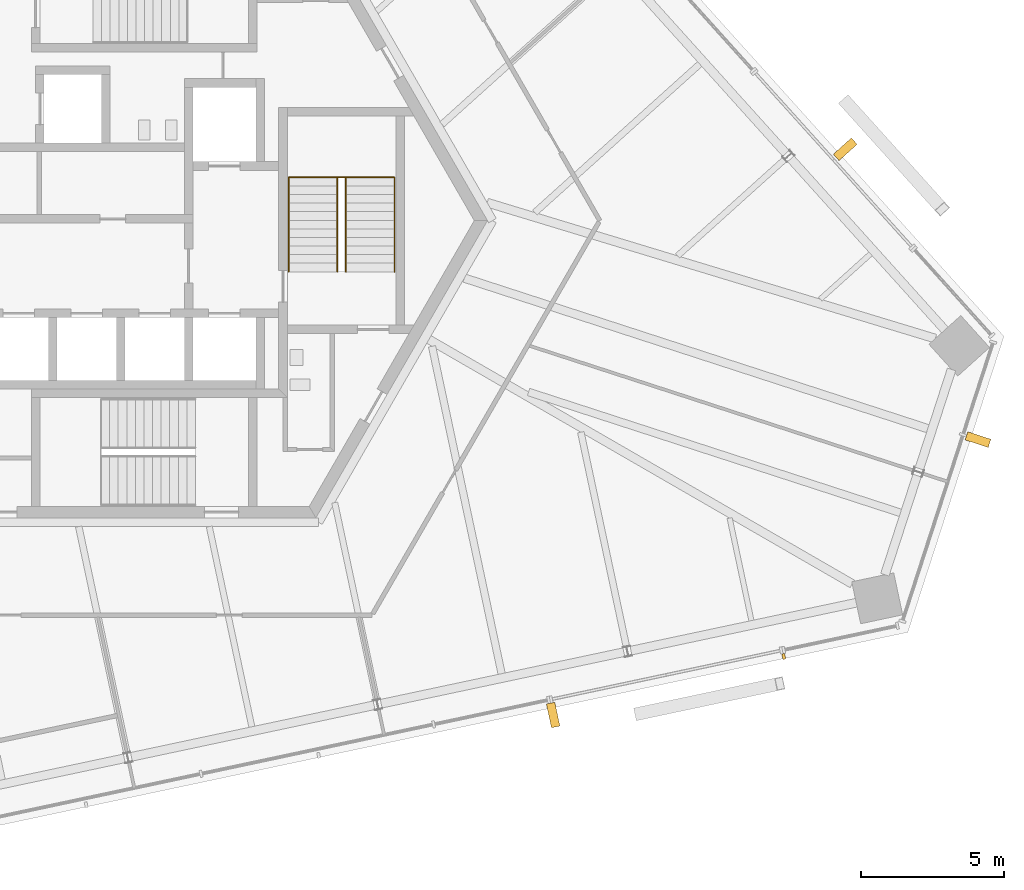
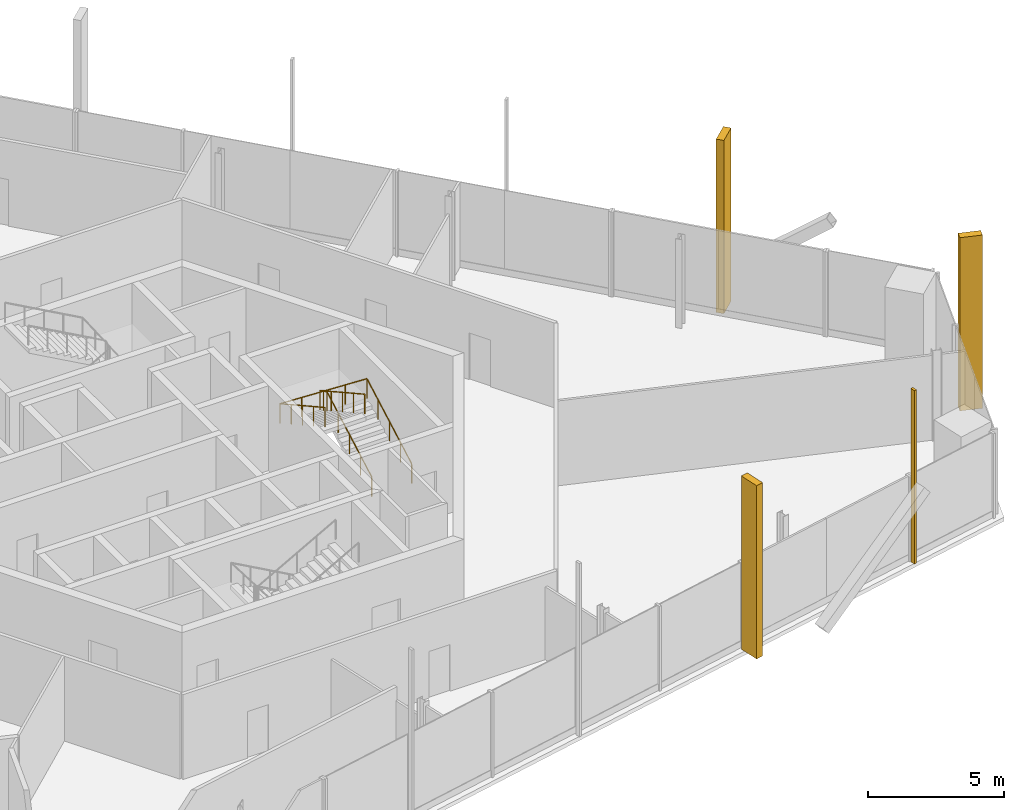
# One storey, part 15 of 17: 4 shading devices, 2 railings.
"""IFC4 building model written with IfcOpenShell, lengths in metres."""

import ifcopenshell
import ifcopenshell.guid

model = None  # the IFC model being written
_history = None  # IfcOwnerHistory: only IFC2X3 demands one
_inside = {}  # id of a spatial element -> (the spatial element, [elements in it])
_under = {}  # id of a project, library or spatial element -> (it, [spatial elements below it])
_declared = {}  # id of a project -> (the project, [libraries it declares])
_typed = {}  # id of a type object -> (the type object, [elements of that type])
_made_of = {}  # id of a material, layer set ... -> (it, [elements and type objects made of it])


def new_model(schema):
    """Start an empty IFC model of exactly this schema.

    Asked for "IFC4X3", IfcOpenShell would pick the latest addendum, in which some entities
    have other attributes; the version numbers below select the first issue.
    IFC2X3 requires an IfcOwnerHistory on every rooted entity: one is made here for all.
    """
    global model, _history
    if schema == "IFC4X3":
        model = ifcopenshell.file(schema_version=(4, 3, 0, 0))
    else:
        model = ifcopenshell.file(schema=schema)
    _inside.clear()
    _under.clear()
    _declared.clear()
    _typed.clear()
    _made_of.clear()
    _history = None
    if model.schema == "IFC2X3":
        org = make("IfcOrganization", Name="unknown")
        user = make(
            "IfcPersonAndOrganization",
            ThePerson=make("IfcPerson", FamilyName="unknown"),
            TheOrganization=org,
        )
        app = make(
            "IfcApplication",
            ApplicationDeveloper=org,
            Version="unknown",
            ApplicationFullName="unknown",
            ApplicationIdentifier="unknown",
        )
        _history = make(
            "IfcOwnerHistory",
            OwningUser=user,
            OwningApplication=app,
            ChangeAction="ADDED",
            CreationDate=0,
        )
    return model


def make(cls, **values):
    """One entity of the class cls with the attributes given. An attribute that is None is left unset."""
    return model.create_entity(
        cls, **{name: value for name, value in values.items() if value is not None}
    )


def rooted(cls, **values):
    """An entity with a GlobalId (a new one), such as an element, a storey or a relation."""
    return make(cls, GlobalId=ifcopenshell.guid.new(), OwnerHistory=_history, **values)


def si_unit(unit_type, name, prefix=None):
    """IfcSIUnit, for example si_unit("LENGTHUNIT", "METRE", prefix="MILLI")."""
    return make("IfcSIUnit", UnitType=unit_type, Prefix=prefix, Name=name)


def assignment(units):
    """IfcUnitAssignment: the units of a project."""
    return None if units is None else make("IfcUnitAssignment", Units=units)


def point(xyz):
    """IfcCartesianPoint."""
    return None if xyz is None else make("IfcCartesianPoint", Coordinates=xyz)


def direction(xyz):
    """IfcDirection."""
    return None if xyz is None else make("IfcDirection", DirectionRatios=xyz)


def frame(location, z_axis=None, x_axis=None):
    """IfcAxis2Placement3D, a coordinate frame: its origin and axes. An axis left out is left unset."""
    return make(
        "IfcAxis2Placement3D",
        Location=point(location),
        Axis=direction(z_axis),
        RefDirection=direction(x_axis),
    )


def frame_2d(location, x_axis=None):
    """IfcAxis2Placement2D, a coordinate frame in the plane: its origin and x axis."""
    return make(
        "IfcAxis2Placement2D", Location=point(location), RefDirection=direction(x_axis)
    )


def origin():
    """The frame at (0, 0, 0) with its axes left unset."""
    return frame((0.0, 0.0, 0.0))


def origin_2d():
    """The frame at (0, 0) in the plane with its x axis left unset."""
    return frame_2d((0.0, 0.0))


def place(relative_to, where):
    """IfcLocalPlacement: puts the frame where relative to a parent placement (None: the world)."""
    return make(
        "IfcLocalPlacement", PlacementRelTo=relative_to, RelativePlacement=where
    )


def context(
    kind, dimensions, precision=None, world=None, true_north=None, identifier=None
):
    """IfcGeometricRepresentationContext, for example the 3D "Model" context."""
    return make(
        "IfcGeometricRepresentationContext",
        ContextIdentifier=identifier,
        ContextType=kind,
        CoordinateSpaceDimension=dimensions,
        Precision=precision,
        WorldCoordinateSystem=world,
        TrueNorth=true_north,
    )


def subcontext(parent, identifier, kind, view, scale=None):
    """IfcGeometricRepresentationSubContext, for example "Body" below "Model"."""
    return make(
        "IfcGeometricRepresentationSubContext",
        ContextIdentifier=identifier,
        ContextType=kind,
        ParentContext=parent,
        TargetScale=scale,
        TargetView=view,
    )


def project(units=None, contexts=None):
    """IfcProject with its units and contexts."""
    return rooted(
        "IfcProject",
        Name="project",
        RepresentationContexts=contexts,
        UnitsInContext=assignment(units),
    )


def spatial(cls, under=None, at=None, **own):
    """A site, building, storey or space (cls), placed at a placement, below another one or the project."""
    s = rooted(cls, ObjectPlacement=at, **own)
    if under is not None:
        _under.setdefault(under.id(), (under, []))[1].append(s)
    return s


def profile(cls, at=None, kind="AREA", **sizes):
    """A parametric profile (cls). Its sizes go by their IFC names, for example OverallWidth=200.0."""
    return make(cls, ProfileType=kind, Position=at, **sizes)


def rectangle(**sizes):
    """IfcRectangleProfileDef."""
    return profile("IfcRectangleProfileDef", **sizes)


def circle(**sizes):
    """IfcCircleProfileDef."""
    return profile("IfcCircleProfileDef", **sizes)


def extrude(swept, where, along, depth):
    """IfcExtrudedAreaSolid: the profile swept, set in the frame where, extruded along a direction by depth."""
    return make(
        "IfcExtrudedAreaSolid",
        SweptArea=swept,
        Position=where,
        ExtrudedDirection=direction(along),
        Depth=depth,
    )


def shape(context_of_items, identifier, shape_type, items):
    """IfcShapeRepresentation: the items that make up one representation, for example the "Body"."""
    return make(
        "IfcShapeRepresentation",
        ContextOfItems=context_of_items,
        RepresentationIdentifier=identifier,
        RepresentationType=shape_type,
        Items=items,
    )


def source(mapping_origin, context_of_items, identifier, shape_type, items):
    """IfcRepresentationMap: a shape defined once, which mapped items show again and again."""
    return make(
        "IfcRepresentationMap",
        MappingOrigin=mapping_origin,
        MappedRepresentation=shape(context_of_items, identifier, shape_type, items),
    )


def transform(
    local_origin,
    x_axis=None,
    y_axis=None,
    z_axis=None,
    scale=None,
    scale2=None,
    scale3=None,
    uniform=True,
):
    """IfcCartesianTransformationOperator3D, or its non-uniform kind. x_axis, y_axis, z_axis: its Axis1, 2, 3."""
    if uniform:
        return make(
            "IfcCartesianTransformationOperator3D",
            Axis1=direction(x_axis),
            Axis2=direction(y_axis),
            LocalOrigin=point(local_origin),
            Scale=scale,
            Axis3=direction(z_axis),
        )
    return make(
        "IfcCartesianTransformationOperator3DnonUniform",
        Axis1=direction(x_axis),
        Axis2=direction(y_axis),
        LocalOrigin=point(local_origin),
        Scale=scale,
        Axis3=direction(z_axis),
        Scale2=scale2,
        Scale3=scale3,
    )


def mapped(mapping_source, mapping_target):
    """IfcMappedItem: shows the shape of a source again, moved by a transform."""
    return make(
        "IfcMappedItem", MappingSource=mapping_source, MappingTarget=mapping_target
    )


def material(Name=None, Category=None):
    """IfcMaterial."""
    return make("IfcMaterial", Name=Name, Category=Category)


def made_of(thing, what):
    """Note that an element or type object is made of a material, layer set ...; save() writes the relation."""
    if what is not None:
        _made_of.setdefault(what.id(), (what, []))[1].append(thing)
    return thing


def type_object(cls, material=None, **own):
    """A type object (cls), such as IfcWallType, which elements share."""
    return made_of(rooted(cls, **own), material)


def element(
    cls,
    number,
    at=None,
    inside=None,
    cuts=None,
    type_object=None,
    material=None,
    context=None,
    identifier="Body",
    shape_type=None,
    held_by="IfcProductDefinitionShape",
    body=None,
    shapes=None,
    **own,
):
    """One element of the class cls, such as IfcWall. Its Tag is "e" and its number.

    at: its placement. inside: the storey or other place that contains it. cuts: it is an
    opening in that element (IfcRelVoidsElement). A single representation is given by context,
    identifier, shape_type and body (its items); several are given by shapes. held_by: the class
    of the entity that holds the representations. save() writes the other relations.
    """
    e = rooted(cls, Tag="e%d" % number, ObjectPlacement=at, **own)
    if body is not None:
        shapes = [shape(context, identifier, shape_type, body)]
    if shapes is not None:
        e.Representation = make(held_by, Representations=shapes)
    if inside is not None:
        _inside.setdefault(inside.id(), (inside, []))[1].append(e)
    if cuts is not None:
        rooted(
            "IfcRelVoidsElement", RelatingBuildingElement=cuts, RelatedOpeningElement=e
        )
    if type_object is not None:
        _typed.setdefault(type_object.id(), (type_object, []))[1].append(e)
    return made_of(e, material)


def aggregate(whole, parts):
    """IfcRelAggregates: a whole, such as a stair, and the parts it consists of."""
    return rooted("IfcRelAggregates", RelatingObject=whole, RelatedObjects=parts)


def save(model, path):
    """Write the relations noted so far, then the file.

    IfcRelAggregates (storeys below a building ...), IfcRelContainedInSpatialStructure (elements
    in a storey), IfcRelDefinesByType, IfcRelAssociatesMaterial and IfcRelDeclares: one each for
    every whole, place, type object, material and project.
    """
    for whole, parts in _under.values():
        aggregate(whole, parts)
    for where, things in _inside.values():
        rooted(
            "IfcRelContainedInSpatialStructure",
            RelatedElements=things,
            RelatingStructure=where,
        )
    for kind, things in _typed.values():
        rooted("IfcRelDefinesByType", RelatedObjects=things, RelatingType=kind)
    for what, things in _made_of.values():
        rooted("IfcRelAssociatesMaterial", RelatedObjects=things, RelatingMaterial=what)
    for by, libraries in _declared.values():
        rooted("IfcRelDeclares", RelatingContext=by, RelatedDefinitions=libraries)
    model.write(path)


model = new_model("IFC4")

# Units and contexts
model_context = context("Model", 3, precision=1e-05, world=origin(), true_north=direction((0.0, 1.0)))
body_context = subcontext(model_context, "Body", "Model", "MODEL_VIEW")
ifc_project = project(units=[si_unit("LENGTHUNIT", "METRE"), si_unit("AREAUNIT", "SQUARE_METRE"), si_unit("VOLUMEUNIT", "CUBIC_METRE"), si_unit("PLANEANGLEUNIT", "RADIAN"), si_unit("MASSUNIT", "GRAM", prefix="KILO")], contexts=[model_context])

# Site, building, storey
site_placement = place(None, origin())
site = spatial("IfcSite", under=ifc_project, at=site_placement, CompositionType="ELEMENT")
building_placement = place(site_placement, origin())
building = spatial("IfcBuilding", under=site, at=building_placement, Name="Triune Harvest Tower", CompositionType="ELEMENT")
storey_placement = place(building_placement, frame((0.0, 0.0, 288.699951171875)))
storey = spatial("IfcBuildingStorey", under=building, at=storey_placement, Name="L76", CompositionType="ELEMENT", Elevation=288.699951171875)

# Railings
ifc_material_1 = material(Name="Stainless steel AISI 316", Category="steel")
railing_type = type_object("IfcRailingType", Name="Stair handrail", PredefinedType="HANDRAIL", material=ifc_material_1)
shared_shape_1 = source(origin(), body_context, "Body", "SweptSolid", [
    extrude(circle(Radius=0.02392578125, at=origin_2d()), frame((0.0, 0.0, 0.8759765625), z_axis=(0.0, 0.874169478083, 0.485620966999), x_axis=(-1.0, 0.0, 0.0)), (0.0, 0.0, 1.0), 3.775146484375),
    extrude(circle(Radius=0.02392578125, at=origin_2d()), frame((0.0, 3.300048828125, 2.708984375), z_axis=(-0.998985998549, 0.0, 0.045021935797), x_axis=(0.0, -1.0, 0.0)), (0.0, 0.0, 1.0), 3.70361328125),
    extrude(circle(Radius=0.02392578125, at=origin_2d()), frame((-3.699951171875, 3.300048828125, 2.8759765625), z_axis=(0.0, -0.874169478083, 0.485620966999), x_axis=(1.0, 0.0, 0.0)), (0.0, 0.0, 1.0), 3.775146484375),
    extrude(circle(Radius=0.02099609375, at=origin_2d()), origin(), (0.0, 0.0, 1.0), 0.851806640625),
    extrude(circle(Radius=0.02099609375, at=origin_2d()), frame((0.0, 0.824951171875, 0.458251953125)), (0.0, 0.0, 1.0), 0.851806640625),
    extrude(circle(Radius=0.02099609375, at=origin_2d()), frame((0.0, 1.64990234375, 0.91650390625)), (0.0, 0.0, 1.0), 0.851806640625),
    extrude(circle(Radius=0.02099609375, at=origin_2d()), frame((0.0, 2.47509765625, 1.375)), (0.0, 0.0, 1.0), 0.851806640625),
    extrude(circle(Radius=0.02099609375, at=origin_2d()), frame((0.0, 3.300048828125, 1.833251953125)), (0.0, 0.0, 1.0), 0.851806640625),
    extrude(circle(Radius=0.02099609375, at=origin_2d()), frame((-0.925048828125, 3.300048828125, 1.875)), (0.0, 0.0, 1.0), 0.851806640625),
    extrude(circle(Radius=0.02099609375, at=origin_2d()), frame((-1.85009765625, 3.300048828125, 1.91650390625)), (0.0, 0.0, 1.0), 0.851806640625),
    extrude(circle(Radius=0.02099609375, at=origin_2d()), frame((-2.77490234375, 3.300048828125, 1.958251953125)), (0.0, 0.0, 1.0), 0.851806640625),
    extrude(circle(Radius=0.02099609375, at=origin_2d()), frame((-3.699951171875, 3.300048828125, 2.0)), (0.0, 0.0, 1.0), 0.851806640625),
    extrude(circle(Radius=0.02099609375, at=origin_2d()), frame((-3.699951171875, 2.47509765625, 2.458251953125)), (0.0, 0.0, 1.0), 0.851806640625),
    extrude(circle(Radius=0.02099609375, at=origin_2d()), frame((-3.699951171875, 1.64990234375, 2.91650390625)), (0.0, 0.0, 1.0), 0.851806640625),
    extrude(circle(Radius=0.02099609375, at=origin_2d()), frame((-3.699951171875, 0.824951171875, 3.375)), (0.0, 0.0, 1.0), 0.851806640625),
    extrude(circle(Radius=0.02099609375, at=origin_2d()), frame((-3.699951171875, 0.0, 3.833251953125)), (0.0, 0.0, 1.0), 0.851806640625),
])
railing_1_placement = place(storey_placement, frame((8.75, -1.7900390625, 0.166748046875)))
element("IfcRailing", 1, at=railing_1_placement, inside=storey, type_object=railing_type, Name="Exit stair east wall handrail", PredefinedType="HANDRAIL", context=body_context, shape_type="MappedRepresentation", body=[
    mapped(shared_shape_1, transform((0.0, 0.0, 0.0), scale=1.0)),
])
shared_shape_2 = source(origin(), body_context, "Body", "SweptSolid", [
    extrude(circle(Radius=0.02392578125, at=origin_2d()), frame((0.0, 0.0, 0.8759765625), z_axis=(0.0, 0.874169478083, 0.485620966999), x_axis=(-1.0, 0.0, 0.0)), (0.0, 0.0, 1.0), 3.775146484375),
    extrude(circle(Radius=0.02392578125, at=origin_2d()), frame((0.0, 3.300048828125, 2.708984375), z_axis=(-0.874090171491, 0.0, 0.485763699861), x_axis=(0.0, -1.0, 0.0)), (0.0, 0.0, 1.0), 0.34326171875),
    extrude(circle(Radius=0.02392578125, at=origin_2d()), frame((-0.300048828125, 3.300048828125, 2.8759765625), z_axis=(0.0, -0.874169478083, 0.485620966999), x_axis=(1.0, 0.0, 0.0)), (0.0, 0.0, 1.0), 3.775146484375),
    extrude(circle(Radius=0.02099609375, at=origin_2d()), origin(), (0.0, 0.0, 1.0), 0.851806640625),
    extrude(circle(Radius=0.02099609375, at=origin_2d()), frame((0.0, 0.824951171875, 0.458251953125)), (0.0, 0.0, 1.0), 0.851806640625),
    extrude(circle(Radius=0.02099609375, at=origin_2d()), frame((0.0, 1.64990234375, 0.91650390625)), (0.0, 0.0, 1.0), 0.851806640625),
    extrude(circle(Radius=0.02099609375, at=origin_2d()), frame((0.0, 2.47509765625, 1.375)), (0.0, 0.0, 1.0), 0.851806640625),
    extrude(circle(Radius=0.02099609375, at=origin_2d()), frame((0.0, 3.300048828125, 1.833251953125)), (0.0, 0.0, 1.0), 0.851806640625),
    extrude(circle(Radius=0.02099609375, at=origin_2d()), frame((-0.300048828125, 3.300048828125, 2.0)), (0.0, 0.0, 1.0), 0.851806640625),
    extrude(circle(Radius=0.02099609375, at=origin_2d()), frame((-0.300048828125, 2.47509765625, 2.458251953125)), (0.0, 0.0, 1.0), 0.851806640625),
    extrude(circle(Radius=0.02099609375, at=origin_2d()), frame((-0.300048828125, 1.64990234375, 2.91650390625)), (0.0, 0.0, 1.0), 0.851806640625),
    extrude(circle(Radius=0.02099609375, at=origin_2d()), frame((-0.300048828125, 0.824951171875, 3.375)), (0.0, 0.0, 1.0), 0.851806640625),
    extrude(circle(Radius=0.02099609375, at=origin_2d()), frame((-0.300048828125, 0.0, 3.833251953125)), (0.0, 0.0, 1.0), 0.851806640625),
])
railing_2_placement = place(storey_placement, frame((7.050048828125, -1.7900390625, 0.166748046875)))
element("IfcRailing", 2, at=railing_2_placement, inside=storey, type_object=railing_type, Name="Exit stair east centre handrail", PredefinedType="HANDRAIL", context=body_context, shape_type="MappedRepresentation", body=[
    mapped(shared_shape_2, transform((0.0, 0.0, 0.0), scale=1.0)),
])

# Shading devices
ifc_material_2 = material(Name="Aluminium bronze anodised", Category="aluminium")
shared_shape_3 = source(origin(), body_context, "Body", "SweptSolid", [
    extrude(rectangle(XDim=0.300048828125, YDim=0.85009765625, at=origin_2d()), origin(), (0.0, 0.0, 1.0), 7.800048828125),
])
for number, where, z_axis, x_axis, name in (
    (3, (24.50634765625, 2.4931640625, 0.0), (0.0, 0.0, 1.0), (-0.669131447108, 0.743144068463, 0.0), "FN-2 fin B7-F1.3 L76"),
    (4, (14.295654296875, -17.285400390625, 0.0), (0.0, 0.0, 1.0), (0.978147751834, 0.207910979944, 0.0), "FN-2 fin B7-F5.9 L76"),
    (5, (29.148193359375, -7.65625, 0.0), (0.0, 0.0, 1.0), (0.309018882717, 0.951055902733, 0.0), "FN-2 fin B7-F6.3 L76"),
):
    element("IfcShadingDevice", number, at=place(storey_placement, frame(where, z_axis=z_axis, x_axis=x_axis)), inside=storey, material=ifc_material_2, Name=name, ObjectType="FIN", PredefinedType="USERDEFINED", context=body_context, shape_type="MappedRepresentation", body=[
        mapped(shared_shape_3, transform((0.0, 0.0, 0.0), scale=1.0)),
    ])
shared_shape_4 = source(origin(), body_context, "Body", "SweptSolid", [
    extrude(rectangle(XDim=0.10009765625, YDim=0.199951171875, at=origin_2d()), origin(), (0.0, 0.0, 1.0), 7.800048828125),
])
shading_device_placement = place(storey_placement, frame((22.358154296875, -15.239501953125, 0.0), z_axis=(0.0, 0.0, 1.0), x_axis=(0.978147751834, 0.207910979944, 0.0)))
element("IfcShadingDevice", 6, at=shading_device_placement, inside=storey, material=ifc_material_2, Name="FN-1 fin B7-F5.11 L76", ObjectType="FIN", PredefinedType="USERDEFINED", context=body_context, shape_type="MappedRepresentation", body=[
    mapped(shared_shape_4, transform((0.0, 0.0, 0.0), scale=1.0)),
])

save(model, "model.ifc")
